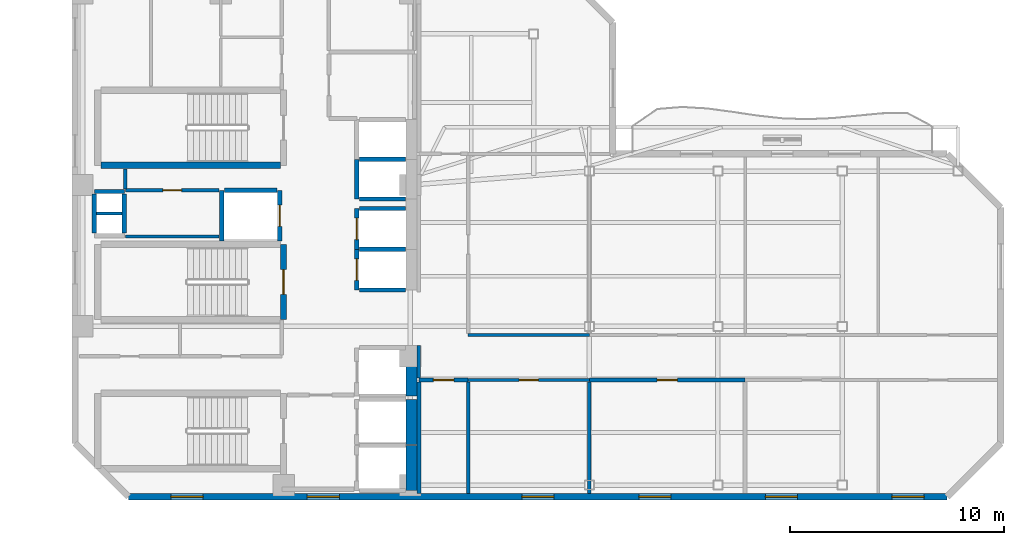
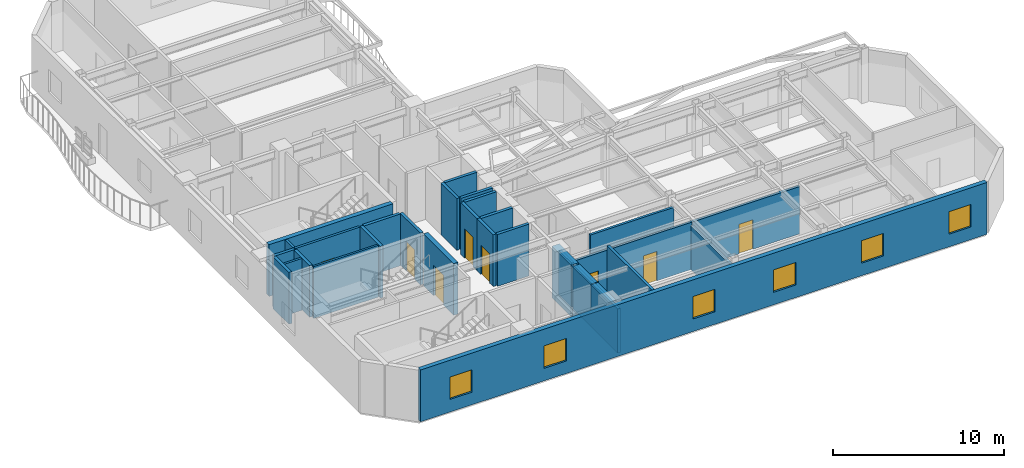
# One storey, part 3 of 9: 32 walls, 8 doors, 6 windows, 14 openings.
"""IFC4 building model written with IfcOpenShell, lengths in metres."""

from ifc_helpers import new_model, si_unit, direction, frame, frame_2d, origin, place, context, subcontext, project, spatial, rectangle, extrude, material, layer, layer_set, type_object, element, fill, save


model = new_model("IFC4")

# Units and contexts
model_context = context("Model", 3, precision=1e-05, world=origin(), true_north=direction((0.0, 1.0)))
body_context = subcontext(model_context, "Body", "Model", "MODEL_VIEW")
ifc_project = project(units=[si_unit("LENGTHUNIT", "METRE"), si_unit("AREAUNIT", "SQUARE_METRE"), si_unit("VOLUMEUNIT", "CUBIC_METRE"), si_unit("PLANEANGLEUNIT", "RADIAN"), si_unit("MASSUNIT", "GRAM", prefix="KILO")], contexts=[model_context])

# Site, building, storey
site_placement = place(None, origin())
site = spatial("IfcSite", under=ifc_project, at=site_placement, CompositionType="ELEMENT")
building_placement = place(site_placement, origin())
building = spatial("IfcBuilding", under=site, at=building_placement, Name="Mawjaban Terraces University", CompositionType="ELEMENT")
storey_placement = place(building_placement, frame((0.0, 0.0, 203.10009765625)))
storey = spatial("IfcBuildingStorey", under=building, at=storey_placement, Name="L49", CompositionType="ELEMENT", Elevation=203.10009765625)

# Wall, opening, door
ifc_material_1 = material(Name="Acoustic masonry blockwork", Category="masonry")
ifc_layer_1 = layer(ifc_material_1, 0.179931640625)
ifc_layer_set_1 = layer_set([ifc_layer_1], Name="Acoustic masonry blockwork")
wall_type_1 = type_object("IfcWallType", Name="AcousticStudioWall_180", PredefinedType="PARTITIONING", material=ifc_layer_set_1)
wall_1_placement = place(storey_placement, frame((38.050048828125, 5.449951171875, 0.0), z_axis=(0.0, 0.0, 1.0), x_axis=(1.0, 0.0, 0.0)))
wall_1 = element("IfcWall", 1, at=wall_1_placement, inside=storey, type_object=wall_type_1, Name="L49 South Spine Spur Link Partition 18", PredefinedType="PARTITIONING", context=body_context, shape_type="SweptSolid", body=[
    extrude(rectangle(XDim=2.300048828125, YDim=0.179931640625, at=frame_2d((1.14990234375, 0.0))), origin(), (0.0, 0.0, 1.0), 3.371826171875),
])
opening_1_placement = place(wall_1_placement, frame((0.675048828125, 0.0, 0.0)))
opening_1 = element("IfcOpeningElement", 2, at=opening_1_placement, cuts=wall_1, Name="Opening ID-095", PredefinedType="OPENING", context=body_context, shape_type="SweptSolid", body=[
    extrude(rectangle(XDim=0.949951171875, YDim=2.10009765625, at=frame_2d((0.47509765625, 1.050048828125))), frame((0.0, 0.099853515625, 0.0), z_axis=(0.0, -1.0, 0.0), x_axis=(1.0, 0.0, 0.0)), (0.0, 0.0, 1.0), 0.199951171875),
])
ifc_material_2 = material(Name="Powder-coated steel frame and solid acoustic timber leaf", Category="steel")
door_type_1 = type_object("IfcDoorType", Name="StudioDoor_950x2100", OperationType="NOTDEFINED", PredefinedType="DOOR", material=ifc_material_2)
door_1_placement = place(opening_1_placement, origin())
door_1 = element("IfcDoor", 3, at=door_1_placement, inside=storey, type_object=door_type_1, Name="L49 Media Workshop 1 Door", OperationType="SINGLE_SWING_LEFT", OverallHeight=2.10009765625, OverallWidth=0.949951171875, PredefinedType="DOOR", context=body_context, shape_type="SweptSolid", body=[
    extrude(rectangle(XDim=0.949951171875, YDim=2.10009765625, at=frame_2d((0.47509765625, 1.050048828125))), frame((0.0, 0.02490234375, 0.0), z_axis=(0.0, -1.0, 0.0), x_axis=(1.0, 0.0, 0.0)), (0.0, 0.0, 1.0), 0.050048828125),
])
fill(opening_1, door_1)

wall_2_placement = place(storey_placement, frame((46.0, 5.449951171875, 0.0), z_axis=(0.0, 0.0, 1.0), x_axis=(1.0, 0.0, 0.0)))
wall_2 = element("IfcWall", 4, at=wall_2_placement, inside=storey, type_object=wall_type_1, Name="L49 South Shifted Academic Corridor Partition 21", PredefinedType="PARTITIONING", context=body_context, shape_type="SweptSolid", body=[
    extrude(rectangle(XDim=7.27001953125, YDim=0.179931640625, at=frame_2d((3.635009765625, 0.0))), origin(), (0.0, 0.0, 1.0), 3.371826171875),
])
opening_2_placement = place(wall_2_placement, frame((3.159912109375, 0.0, 0.0)))
opening_2 = element("IfcOpeningElement", 5, at=opening_2_placement, cuts=wall_2, Name="Opening ID-095", PredefinedType="OPENING", context=body_context, shape_type="SweptSolid", body=[
    extrude(rectangle(XDim=0.949951171875, YDim=2.10009765625, at=frame_2d((0.47509765625, 1.050048828125))), frame((0.0, 0.099853515625, 0.0), z_axis=(0.0, -1.0, 0.0), x_axis=(1.0, 0.0, 0.0)), (0.0, 0.0, 1.0), 0.199951171875),
])
door_2_placement = place(opening_2_placement, origin())
door_2 = element("IfcDoor", 6, at=door_2_placement, inside=storey, type_object=door_type_1, Name="L49 Media Workshop 4 Door", OperationType="SINGLE_SWING_RIGHT", OverallHeight=2.10009765625, OverallWidth=0.949951171875, PredefinedType="DOOR", context=body_context, shape_type="SweptSolid", body=[
    extrude(rectangle(XDim=0.949951171875, YDim=2.10009765625, at=frame_2d((0.47509765625, 1.050048828125))), frame((0.0, 0.02490234375, 0.0), z_axis=(0.0, -1.0, 0.0), x_axis=(1.0, 0.0, 0.0)), (0.0, 0.0, 1.0), 0.050048828125),
])
fill(opening_2, door_2)

# Walls
wall_3_placement = place(storey_placement, frame((38.050048828125, 5.364990234375, 0.0), z_axis=(0.0, 0.0, 1.0), x_axis=(0.0, -1.0, 0.0)))
element("IfcWall", 7, at=wall_3_placement, inside=storey, type_object=wall_type_1, Name="L49 Media Workshop 1 Partition 46", PredefinedType="PARTITIONING", context=body_context, shape_type="SweptSolid", body=[
    extrude(rectangle(XDim=5.219970703125, YDim=0.179931640625, at=frame_2d((2.60986328125, 0.0))), origin(), (0.0, 0.0, 1.0), 3.14599609375),
])
wall_4_placement = place(storey_placement, frame((40.35009765625, 0.14501953125, 0.0), z_axis=(0.0, 0.0, 1.0), x_axis=(0.0, 1.0, 0.0)))
element("IfcWall", 8, at=wall_4_placement, inside=storey, type_object=wall_type_1, Name="L49 Media Workshop 1 Partition 50", PredefinedType="PARTITIONING", context=body_context, shape_type="SweptSolid", body=[
    extrude(rectangle(XDim=5.219970703125, YDim=0.179931640625, at=frame_2d((2.60986328125, 0.0))), origin(), (0.0, 0.0, 1.0), 3.68994140625),
])
wall_5_placement = place(storey_placement, frame((46.0, 0.14501953125, 0.0), z_axis=(0.0, 0.0, 1.0), x_axis=(0.0, 1.0, 0.0)))
element("IfcWall", 9, at=wall_5_placement, inside=storey, type_object=wall_type_1, Name="L49 Quiet Reading Room 2 Partition 52", PredefinedType="PARTITIONING", context=body_context, shape_type="SweptSolid", body=[
    extrude(rectangle(XDim=5.219970703125, YDim=0.179931640625, at=frame_2d((2.60986328125, 0.0))), origin(), (0.0, 0.0, 1.0), 3.14599609375),
])
ifc_material_3 = material(Name="Concrete C60/75", Category="concrete")
ifc_layer_2 = layer(ifc_material_3, 0.5)
ifc_layer_set_2 = layer_set([ifc_layer_2], Name="Concrete C60/75")
wall_type_2 = type_object("IfcWallType", Name="CoreShearWall_500", PredefinedType="SHEAR", material=ifc_layer_set_2)
wall_6_placement = place(storey_placement, frame((37.699951171875, 0.300048828125, 0.0), z_axis=(0.0, 0.0, 1.0), x_axis=(0.0, 1.0, 0.0)))
element("IfcWall", 10, at=wall_6_placement, inside=storey, type_object=wall_type_2, Name="L49 Lift FL-1 Hoistway Wall East", PredefinedType="SHEAR", context=body_context, shape_type="SweptSolid", body=[
    extrude(rectangle(XDim=2.099853515625, YDim=0.5, at=frame_2d((1.0498046875, 0.0))), origin(), (0.0, 0.0, 1.0), 3.68994140625),
])
wall_7_placement = place(storey_placement, frame((37.699951171875, 2.449951171875, 0.0), z_axis=(0.0, 0.0, 1.0), x_axis=(0.0, 1.0, 0.0)))
element("IfcWall", 11, at=wall_7_placement, inside=storey, type_object=wall_type_2, Name="L49 Lift FL-2 Hoistway Wall East", PredefinedType="SHEAR", context=body_context, shape_type="SweptSolid", body=[
    extrude(rectangle(XDim=2.10009765625, YDim=0.5, at=frame_2d((1.050048828125, 0.0))), origin(), (0.0, 0.0, 1.0), 3.68994140625),
])
wall_8_placement = place(storey_placement, frame((37.699951171875, 4.699951171875, 0.0), z_axis=(0.0, 0.0, 1.0), x_axis=(0.0, 1.0, 0.0)))
element("IfcWall", 12, at=wall_8_placement, inside=storey, type_object=wall_type_2, Name="L49 Lift SL-1 Hoistway Wall East", PredefinedType="SHEAR", context=body_context, shape_type="SweptSolid", body=[
    extrude(rectangle(XDim=2.25, YDim=0.5, at=frame_2d((1.125, 0.0))), origin(), (0.0, 0.0, 1.0), 3.68994140625),
])

# Wall, opening, door
ifc_material_4 = material(Name="Fire-rated gypsum board on steel stud", Category="steel")
ifc_layer_3 = layer(ifc_material_4, 0.159912109375)
ifc_layer_set_3 = layer_set([ifc_layer_3], Name="Fire-rated gypsum board on steel stud")
wall_type_3 = type_object("IfcWallType", Name="CorridorPartition_160", PredefinedType="PARTITIONING", material=ifc_layer_set_3)
wall_9_placement = place(storey_placement, frame((24.35009765625, 14.300048828125, 0.0), z_axis=(0.0, 0.0, 1.0), x_axis=(1.0, 0.0, 0.0)))
wall_9 = element("IfcWall", 13, at=wall_9_placement, inside=storey, type_object=wall_type_3, Name="L49 Core Riser Access Passage Partition 2", PredefinedType="PARTITIONING", context=body_context, shape_type="SweptSolid", body=[
    extrude(rectangle(XDim=4.369873046875, YDim=0.159912109375, at=frame_2d((2.18505859375, 0.0))), origin(), (0.0, 0.0, 1.0), 3.68994140625),
])
opening_3_placement = place(wall_9_placement, frame((1.7451171875, 0.0, 0.0)))
opening_3 = element("IfcOpeningElement", 14, at=opening_3_placement, cuts=wall_9, Name="Opening ID-088", PredefinedType="OPENING", context=body_context, shape_type="SweptSolid", body=[
    extrude(rectangle(XDim=0.8798828125, YDim=2.10009765625, at=frame_2d((0.43994140625, 1.050048828125))), frame((0.0, 0.08984375, 0.0), z_axis=(0.0, -1.0, 0.0), x_axis=(1.0, 0.0, 0.0)), (0.0, 0.0, 1.0), 0.179931640625),
])
door_type_2 = type_object("IfcDoorType", Name="ToiletDoor_880x2100", OperationType="NOTDEFINED", PredefinedType="DOOR", material=ifc_material_2)
door_3_placement = place(opening_3_placement, origin())
door_3 = element("IfcDoor", 15, at=door_3_placement, inside=storey, type_object=door_type_2, Name="L49 Ablution Room Door", OperationType="SINGLE_SWING_RIGHT", OverallHeight=2.10009765625, OverallWidth=0.8798828125, PredefinedType="DOOR", context=body_context, shape_type="SweptSolid", body=[
    extrude(rectangle(XDim=0.8798828125, YDim=2.10009765625, at=frame_2d((0.43994140625, 1.050048828125))), frame((0.0, 0.02490234375, 0.0), z_axis=(0.0, -1.0, 0.0), x_axis=(1.0, 0.0, 0.0)), (0.0, 0.0, 1.0), 0.050048828125),
])
fill(opening_3, door_3)

wall_10_placement = place(storey_placement, frame((40.35009765625, 5.449951171875, 0.0), z_axis=(0.0, 0.0, 1.0), x_axis=(1.0, 0.0, 0.0)))
wall_10 = element("IfcWall", 16, at=wall_10_placement, inside=storey, type_object=wall_type_3, Name="L49 South Shifted Academic Corridor Partition 19", PredefinedType="PARTITIONING", context=body_context, shape_type="SweptSolid", body=[
    extrude(rectangle(XDim=5.64990234375, YDim=0.159912109375, at=frame_2d((2.824951171875, 0.0))), origin(), (0.0, 0.0, 1.0), 3.371826171875),
])
opening_4_placement = place(wall_10_placement, frame((2.375, 0.0, 0.0)))
opening_4 = element("IfcOpeningElement", 17, at=opening_4_placement, cuts=wall_10, Name="Opening ID-090", PredefinedType="OPENING", context=body_context, shape_type="SweptSolid", body=[
    extrude(rectangle(XDim=0.89990234375, YDim=2.10009765625, at=frame_2d((0.449951171875, 1.050048828125))), frame((0.0, 0.08984375, 0.0), z_axis=(0.0, -1.0, 0.0), x_axis=(1.0, 0.0, 0.0)), (0.0, 0.0, 1.0), 0.179931640625),
])
door_type_3 = type_object("IfcDoorType", Name="OfficeDoor_900x2100", OperationType="NOTDEFINED", PredefinedType="DOOR", material=ifc_material_2)
door_4_placement = place(opening_4_placement, origin())
door_4 = element("IfcDoor", 18, at=door_4_placement, inside=storey, type_object=door_type_3, Name="L49 Quiet Reading Room 2 Door", OperationType="SINGLE_SWING_RIGHT", OverallHeight=2.10009765625, OverallWidth=0.89990234375, PredefinedType="DOOR", context=body_context, shape_type="SweptSolid", body=[
    extrude(rectangle(XDim=0.89990234375, YDim=2.10009765625, at=frame_2d((0.449951171875, 1.050048828125))), frame((0.0, 0.02490234375, 0.0), z_axis=(0.0, -1.0, 0.0), x_axis=(1.0, 0.0, 0.0)), (0.0, 0.0, 1.0), 0.050048828125),
])
fill(opening_4, door_4)

# Walls
wall_11_placement = place(storey_placement, frame((46.0, 7.550048828125, 0.0), z_axis=(0.0, 0.0, 1.0), x_axis=(-1.0, 0.0, 0.0)))
element("IfcWall", 19, at=wall_11_placement, inside=storey, type_object=wall_type_3, Name="L49 South Shifted Academic Corridor Partition 22", PredefinedType="PARTITIONING", context=body_context, shape_type="SweptSolid", body=[
    extrude(rectangle(XDim=5.64990234375, YDim=0.159912109375, at=frame_2d((2.824951171875, 0.0))), origin(), (0.0, 0.0, 1.0), 3.14599609375),
])
wall_12_placement = place(storey_placement, frame((24.35009765625, 15.2900390625, 0.0), z_axis=(0.0, 0.0, 1.0), x_axis=(0.0, -1.0, 0.0)))
element("IfcWall", 20, at=wall_12_placement, inside=storey, type_object=wall_type_3, Name="L49 Core Riser Access Passage Partition 30", PredefinedType="PARTITIONING", context=body_context, shape_type="SweptSolid", body=[
    extrude(rectangle(XDim=0.9150390625, YDim=0.159912109375, at=frame_2d((0.45751953125, 0.0))), origin(), (0.0, 0.0, 1.0), 3.68994140625),
])
wall_13_placement = place(storey_placement, frame((38.050048828125, 7.050048828125, 0.0), z_axis=(0.0, 0.0, 1.0), x_axis=(0.0, -1.0, 0.0)))
element("IfcWall", 21, at=wall_13_placement, inside=storey, type_object=wall_type_3, Name="L49 South Spine Spur Link Partition 47", PredefinedType="PARTITIONING", context=body_context, shape_type="SweptSolid", body=[
    extrude(rectangle(XDim=1.51513671875, YDim=0.159912109375, at=frame_2d((0.757568359375, 0.0))), origin(), (0.0, 0.0, 1.0), 3.14599609375),
])

# Wall, openings, windows
ifc_material_5 = material(Name="Insulated terracotta rainscreen on concrete backup C40/50", Category="masonry")
ifc_layer_4 = layer(ifc_material_5, 0.300048828125)
ifc_layer_set_4 = layer_set([ifc_layer_4], Name="Insulated terracotta rainscreen on concrete backup C40/50")
wall_type_4 = type_object("IfcWallType", Name="ExtTerracottaWall_300", PredefinedType="SOLIDWALL", material=ifc_layer_set_4)
wall_14_placement = place(storey_placement, frame((24.5, 0.0, 0.0), z_axis=(0.0, 0.0, 1.0), x_axis=(1.0, 0.0, 0.0)))
wall_14 = element("IfcWall", 22, at=wall_14_placement, inside=storey, type_object=wall_type_4, Name="L49 Exterior Terracotta Wall 1", PredefinedType="SOLIDWALL", context=body_context, shape_type="SweptSolid", body=[
    extrude(rectangle(XDim=38.199951171875, YDim=0.300048828125, at=frame_2d((19.10009765625, 0.0))), origin(), (0.0, 0.0, 1.0), 3.68994140625),
])
opening_5_placement = place(wall_14_placement, frame((1.97900390625, 0.0, 0.89990234375)))
opening_5 = element("IfcOpeningElement", 23, at=opening_5_placement, cuts=wall_14, Name="Opening W-02", PredefinedType="OPENING", context=body_context, shape_type="SweptSolid", body=[
    extrude(rectangle(XDim=1.5, YDim=1.60009765625, at=frame_2d((0.75, 0.800048828125))), frame((0.0, 0.159912109375, 0.0), z_axis=(0.0, -1.0, 0.0), x_axis=(1.0, 0.0, 0.0)), (0.0, 0.0, 1.0), 0.320068359375),
])
opening_6_placement = place(wall_14_placement, frame((8.3359375, 0.0, 0.89990234375)))
opening_6 = element("IfcOpeningElement", 24, at=opening_6_placement, cuts=wall_14, Name="Opening W-02", PredefinedType="OPENING", context=body_context, shape_type="SweptSolid", body=[
    extrude(rectangle(XDim=1.5, YDim=1.60009765625, at=frame_2d((0.75, 0.800048828125))), frame((0.0, 0.159912109375, 0.0), z_axis=(0.0, -1.0, 0.0), x_axis=(1.0, 0.0, 0.0)), (0.0, 0.0, 1.0), 0.320068359375),
])
opening_7_placement = place(wall_14_placement, frame((18.35009765625, 0.0, 0.89990234375)))
opening_7 = element("IfcOpeningElement", 25, at=opening_7_placement, cuts=wall_14, Name="Opening W-02", PredefinedType="OPENING", context=body_context, shape_type="SweptSolid", body=[
    extrude(rectangle(XDim=1.5, YDim=1.60009765625, at=frame_2d((0.75, 0.800048828125))), frame((0.0, 0.159912109375, 0.0), z_axis=(0.0, -1.0, 0.0), x_axis=(1.0, 0.0, 0.0)), (0.0, 0.0, 1.0), 0.320068359375),
])
opening_8_placement = place(wall_14_placement, frame((23.806884765625, 0.0, 0.89990234375)))
opening_8 = element("IfcOpeningElement", 26, at=opening_8_placement, cuts=wall_14, Name="Opening W-02", PredefinedType="OPENING", context=body_context, shape_type="SweptSolid", body=[
    extrude(rectangle(XDim=1.5, YDim=1.60009765625, at=frame_2d((0.75, 0.800048828125))), frame((0.0, 0.159912109375, 0.0), z_axis=(0.0, -1.0, 0.0), x_axis=(1.0, 0.0, 0.0)), (0.0, 0.0, 1.0), 0.320068359375),
])
opening_9_placement = place(wall_14_placement, frame((29.714111328125, 0.0, 0.89990234375)))
opening_9 = element("IfcOpeningElement", 27, at=opening_9_placement, cuts=wall_14, Name="Opening W-02", PredefinedType="OPENING", context=body_context, shape_type="SweptSolid", body=[
    extrude(rectangle(XDim=1.5, YDim=1.60009765625, at=frame_2d((0.75, 0.800048828125))), frame((0.0, 0.159912109375, 0.0), z_axis=(0.0, -1.0, 0.0), x_axis=(1.0, 0.0, 0.0)), (0.0, 0.0, 1.0), 0.320068359375),
])
opening_10_placement = place(wall_14_placement, frame((35.62109375, 0.0, 0.89990234375)))
opening_10 = element("IfcOpeningElement", 28, at=opening_10_placement, cuts=wall_14, Name="Opening W-02", PredefinedType="OPENING", context=body_context, shape_type="SweptSolid", body=[
    extrude(rectangle(XDim=1.5, YDim=1.60009765625, at=frame_2d((0.75, 0.800048828125))), frame((0.0, 0.159912109375, 0.0), z_axis=(0.0, -1.0, 0.0), x_axis=(1.0, 0.0, 0.0)), (0.0, 0.0, 1.0), 0.320068359375),
])
ifc_material_6 = material(Name="Low-E solar-control double glazing in thermally broken aluminium frame", Category="aluminium")
window_type = type_object("IfcWindowType", Name="Win_1500x1600", PartitioningType="SINGLE_PANEL", PredefinedType="WINDOW", material=ifc_material_6)
window_1_placement = place(opening_5_placement, origin())
window_1 = element("IfcWindow", 29, at=window_1_placement, inside=storey, type_object=window_type, Name="L49 Facade Window 1.1", OverallHeight=1.60009765625, OverallWidth=1.5, PartitioningType="SINGLE_PANEL", PredefinedType="WINDOW", context=body_context, shape_type="SweptSolid", body=[
    extrude(rectangle(XDim=1.5, YDim=1.60009765625, at=frame_2d((0.75, 0.800048828125))), frame((0.0, 0.030029296875, 0.0), z_axis=(0.0, -1.0, 0.0), x_axis=(1.0, 0.0, 0.0)), (0.0, 0.0, 1.0), 0.06005859375),
])
fill(opening_5, window_1)
window_2_placement = place(opening_6_placement, origin())
window_2 = element("IfcWindow", 30, at=window_2_placement, inside=storey, type_object=window_type, Name="L49 Facade Window 1.2", OverallHeight=1.60009765625, OverallWidth=1.5, PartitioningType="SINGLE_PANEL", PredefinedType="WINDOW", context=body_context, shape_type="SweptSolid", body=[
    extrude(rectangle(XDim=1.5, YDim=1.60009765625, at=frame_2d((0.75, 0.800048828125))), frame((0.0, 0.030029296875, 0.0), z_axis=(0.0, -1.0, 0.0), x_axis=(1.0, 0.0, 0.0)), (0.0, 0.0, 1.0), 0.06005859375),
])
fill(opening_6, window_2)
window_3_placement = place(opening_7_placement, origin())
window_3 = element("IfcWindow", 31, at=window_3_placement, inside=storey, type_object=window_type, Name="L49 Facade Window 1.4", OverallHeight=1.60009765625, OverallWidth=1.5, PartitioningType="SINGLE_PANEL", PredefinedType="WINDOW", context=body_context, shape_type="SweptSolid", body=[
    extrude(rectangle(XDim=1.5, YDim=1.60009765625, at=frame_2d((0.75, 0.800048828125))), frame((0.0, 0.030029296875, 0.0), z_axis=(0.0, -1.0, 0.0), x_axis=(1.0, 0.0, 0.0)), (0.0, 0.0, 1.0), 0.06005859375),
])
fill(opening_7, window_3)
window_4_placement = place(opening_8_placement, origin())
window_4 = element("IfcWindow", 32, at=window_4_placement, inside=storey, type_object=window_type, Name="L49 Facade Window 1.5", OverallHeight=1.60009765625, OverallWidth=1.5, PartitioningType="SINGLE_PANEL", PredefinedType="WINDOW", context=body_context, shape_type="SweptSolid", body=[
    extrude(rectangle(XDim=1.5, YDim=1.60009765625, at=frame_2d((0.75, 0.800048828125))), frame((0.0, 0.030029296875, 0.0), z_axis=(0.0, -1.0, 0.0), x_axis=(1.0, 0.0, 0.0)), (0.0, 0.0, 1.0), 0.06005859375),
])
fill(opening_8, window_4)
window_5_placement = place(opening_9_placement, origin())
window_5 = element("IfcWindow", 33, at=window_5_placement, inside=storey, type_object=window_type, Name="L49 Facade Window 1.6", OverallHeight=1.60009765625, OverallWidth=1.5, PartitioningType="SINGLE_PANEL", PredefinedType="WINDOW", context=body_context, shape_type="SweptSolid", body=[
    extrude(rectangle(XDim=1.5, YDim=1.60009765625, at=frame_2d((0.75, 0.800048828125))), frame((0.0, 0.030029296875, 0.0), z_axis=(0.0, -1.0, 0.0), x_axis=(1.0, 0.0, 0.0)), (0.0, 0.0, 1.0), 0.06005859375),
])
fill(opening_9, window_5)
window_6_placement = place(opening_10_placement, origin())
window_6 = element("IfcWindow", 34, at=window_6_placement, inside=storey, type_object=window_type, Name="L49 Facade Window 1.7", OverallHeight=1.60009765625, OverallWidth=1.5, PartitioningType="SINGLE_PANEL", PredefinedType="WINDOW", context=body_context, shape_type="SweptSolid", body=[
    extrude(rectangle(XDim=1.5, YDim=1.60009765625, at=frame_2d((0.75, 0.800048828125))), frame((0.0, 0.030029296875, 0.0), z_axis=(0.0, -1.0, 0.0), x_axis=(1.0, 0.0, 0.0)), (0.0, 0.0, 1.0), 0.06005859375),
])
fill(opening_10, window_6)

# Wall, opening, door
ifc_material_7 = material(Name="Concrete C40/50", Category="concrete")
ifc_layer_5 = layer(ifc_material_7, 0.199951171875)
ifc_layer_set_5 = layer_set([ifc_layer_5], Name="Concrete C40/50")
wall_type_5 = type_object("IfcWallType", Name="FireLobbyWall_200", PredefinedType="SOLIDWALL", material=ifc_layer_set_5)
wall_15_placement = place(storey_placement, frame((35.14990234375, 11.550048828125, 0.0), z_axis=(0.0, 0.0, 1.0), x_axis=(0.0, -1.0, 0.0)))
wall_15 = element("IfcWall", 35, at=wall_15_placement, inside=storey, type_object=wall_type_5, Name="L49 Lift PL-H1 Hoistway Wall West", PredefinedType="SOLIDWALL", context=body_context, shape_type="SweptSolid", body=[
    extrude(rectangle(XDim=1.900146484375, YDim=0.199951171875, at=frame_2d((0.9501953125, 0.0))), origin(), (0.0, 0.0, 1.0), 3.68994140625),
])
opening_11_placement = place(wall_15_placement, frame((0.449951171875, 0.0, 0.0)))
opening_11 = element("IfcOpeningElement", 36, at=opening_11_placement, cuts=wall_15, Name="Opening LD-PL-H1", PredefinedType="OPENING", context=body_context, shape_type="SweptSolid", body=[
    extrude(rectangle(XDim=1.0, YDim=2.10009765625, at=frame_2d((0.5, 1.050048828125))), frame((0.0, 0.10986328125, 0.0), z_axis=(0.0, -1.0, 0.0), x_axis=(1.0, 0.0, 0.0)), (0.0, 0.0, 1.0), 0.219970703125),
])
ifc_material_8 = material(Name="Powder-coated steel frame and fire-rated steel-faced leaf", Category="steel")
door_type_4 = type_object("IfcDoorType", Name="LiftLandingSliding_1000x2100", OperationType="NOTDEFINED", PredefinedType="DOOR", material=ifc_material_8)
door_5_placement = place(opening_11_placement, origin())
door_5 = element("IfcDoor", 37, at=door_5_placement, inside=storey, type_object=door_type_4, Name="L49 Lift PL-H1 Sliding Landing Door", OperationType="DOUBLE_DOOR_SLIDING", OverallHeight=2.10009765625, OverallWidth=1.0, PredefinedType="DOOR", context=body_context, shape_type="SweptSolid", body=[
    extrude(rectangle(XDim=1.0, YDim=2.10009765625, at=frame_2d((0.5, 1.050048828125))), frame((0.0, 0.02490234375, 0.0), z_axis=(0.0, -1.0, 0.0), x_axis=(1.0, 0.0, 0.0)), (0.0, 0.0, 1.0), 0.050048828125),
])
fill(opening_11, door_5)

# Walls
for number, where, z_axis, x_axis, name in (
    (38, (35.280029296875, 9.64990234375, 0.0), (0.0, 0.0, 1.0), (1.0, 0.0, 0.0), "L49 Lift PL-H1 Hoistway Wall South"),
    (39, (37.419921875, 11.550048828125, 0.0), (0.0, 0.0, 1.0), (-1.0, 0.0, 0.0), "L49 Lift PL-H1 Hoistway Wall North"),
):
    element("IfcWall", number, at=place(storey_placement, frame(where, z_axis=z_axis, x_axis=x_axis)), inside=storey, type_object=wall_type_5, Name=name, PredefinedType="SOLIDWALL", context=body_context, shape_type="SweptSolid", body=[
        extrude(rectangle(XDim=2.139892578125, YDim=0.199951171875, at=frame_2d((1.06982421875, 0.0))), origin(), (0.0, 0.0, 1.0), 3.68994140625),
    ])

# Wall, opening, door
wall_16_placement = place(storey_placement, frame((35.14990234375, 13.449951171875, 0.0), z_axis=(0.0, 0.0, 1.0), x_axis=(0.0, -1.0, 0.0)))
wall_16 = element("IfcWall", 40, at=wall_16_placement, inside=storey, type_object=wall_type_5, Name="L49 Lift PL-H2 Hoistway Wall West", PredefinedType="SOLIDWALL", context=body_context, shape_type="SweptSolid", body=[
    extrude(rectangle(XDim=1.89990234375, YDim=0.199951171875, at=frame_2d((0.949951171875, 0.0))), origin(), (0.0, 0.0, 1.0), 3.68994140625),
])
opening_12_placement = place(wall_16_placement, frame((0.449951171875, 0.0, 0.0)))
opening_12 = element("IfcOpeningElement", 41, at=opening_12_placement, cuts=wall_16, Name="Opening LD-PL-H2", PredefinedType="OPENING", context=body_context, shape_type="SweptSolid", body=[
    extrude(rectangle(XDim=1.0, YDim=2.10009765625, at=frame_2d((0.5, 1.050048828125))), frame((0.0, 0.10986328125, 0.0), z_axis=(0.0, -1.0, 0.0), x_axis=(1.0, 0.0, 0.0)), (0.0, 0.0, 1.0), 0.219970703125),
])
door_6_placement = place(opening_12_placement, origin())
door_6 = element("IfcDoor", 42, at=door_6_placement, inside=storey, type_object=door_type_4, Name="L49 Lift PL-H2 Sliding Landing Door", OperationType="DOUBLE_DOOR_SLIDING", OverallHeight=2.10009765625, OverallWidth=1.0, PredefinedType="DOOR", context=body_context, shape_type="SweptSolid", body=[
    extrude(rectangle(XDim=1.0, YDim=2.10009765625, at=frame_2d((0.5, 1.050048828125))), frame((0.0, 0.02490234375, 0.0), z_axis=(0.0, -1.0, 0.0), x_axis=(1.0, 0.0, 0.0)), (0.0, 0.0, 1.0), 0.050048828125),
])
fill(opening_12, door_6)

# Walls
wall_17_placement = place(storey_placement, frame((37.419921875, 13.449951171875, 0.0), z_axis=(0.0, 0.0, 1.0), x_axis=(-1.0, 0.0, 0.0)))
element("IfcWall", 43, at=wall_17_placement, inside=storey, type_object=wall_type_5, Name="L49 Lift PL-H2 Hoistway Wall North", PredefinedType="SOLIDWALL", context=body_context, shape_type="SweptSolid", body=[
    extrude(rectangle(XDim=2.139892578125, YDim=0.199951171875, at=frame_2d((1.06982421875, 0.0))), origin(), (0.0, 0.0, 1.0), 3.68994140625),
])
wall_18_placement = place(storey_placement, frame((28.85009765625, 14.300048828125, 0.0), z_axis=(0.0, 0.0, 1.0), x_axis=(0.0, -1.0, 0.0)))
element("IfcWall", 44, at=wall_18_placement, inside=storey, type_object=wall_type_5, Name="L49 Lift PL-H3 Hoistway Wall West", PredefinedType="SOLIDWALL", context=body_context, shape_type="SweptSolid", body=[
    extrude(rectangle(XDim=2.3701171875, YDim=0.199951171875, at=frame_2d((1.18505859375, 0.0))), origin(), (0.0, 0.0, 1.0), 3.68994140625),
])

# Wall, opening, door
wall_19_placement = place(storey_placement, frame((31.550048828125, 11.929931640625, 0.0), z_axis=(0.0, 0.0, 1.0), x_axis=(0.0, 1.0, 0.0)))
wall_19 = element("IfcWall", 45, at=wall_19_placement, inside=storey, type_object=wall_type_5, Name="L49 Lift PL-H3 Hoistway Wall East", PredefinedType="SOLIDWALL", context=body_context, shape_type="SweptSolid", body=[
    extrude(rectangle(XDim=2.3701171875, YDim=0.199951171875, at=frame_2d((1.18505859375, 0.0))), origin(), (0.0, 0.0, 1.0), 3.68994140625),
])
opening_13_placement = place(wall_19_placement, frame((0.68505859375, 0.0, 0.0)))
opening_13 = element("IfcOpeningElement", 46, at=opening_13_placement, cuts=wall_19, Name="Opening LD-PL-H3", PredefinedType="OPENING", context=body_context, shape_type="SweptSolid", body=[
    extrude(rectangle(XDim=1.0, YDim=2.10009765625, at=frame_2d((0.5, 1.050048828125))), frame((0.0, 0.10986328125, 0.0), z_axis=(0.0, -1.0, 0.0), x_axis=(1.0, 0.0, 0.0)), (0.0, 0.0, 1.0), 0.219970703125),
])
door_7_placement = place(opening_13_placement, origin())
door_7 = element("IfcDoor", 47, at=door_7_placement, inside=storey, type_object=door_type_4, Name="L49 Lift PL-H3 Sliding Landing Door", OperationType="DOUBLE_DOOR_SLIDING", OverallHeight=2.10009765625, OverallWidth=1.0, PredefinedType="DOOR", context=body_context, shape_type="SweptSolid", body=[
    extrude(rectangle(XDim=1.0, YDim=2.10009765625, at=frame_2d((0.5, 1.050048828125))), frame((0.0, 0.02490234375, 0.0), z_axis=(0.0, -1.0, 0.0), x_axis=(1.0, 0.0, 0.0)), (0.0, 0.0, 1.0), 0.050048828125),
])
fill(opening_13, door_7)

# Walls
wall_20_placement = place(storey_placement, frame((31.419921875, 14.300048828125, 0.0), z_axis=(0.0, 0.0, 1.0), x_axis=(-1.0, 0.0, 0.0)))
element("IfcWall", 48, at=wall_20_placement, inside=storey, type_object=wall_type_5, Name="L49 Lift PL-H3 Hoistway Wall North", PredefinedType="SOLIDWALL", context=body_context, shape_type="SweptSolid", body=[
    extrude(rectangle(XDim=2.43994140625, YDim=0.199951171875, at=frame_2d((1.219970703125, 0.0))), origin(), (0.0, 0.0, 1.0), 3.68994140625),
])
wall_21_placement = place(storey_placement, frame((35.14990234375, 15.75, 0.0), z_axis=(0.0, 0.0, 1.0), x_axis=(0.0, -1.0, 0.0)))
element("IfcWall", 49, at=wall_21_placement, inside=storey, type_object=wall_type_5, Name="L49 Lift OL-1 Hoistway Wall West", PredefinedType="SOLIDWALL", context=body_context, shape_type="SweptSolid", body=[
    extrude(rectangle(XDim=1.85009765625, YDim=0.199951171875, at=frame_2d((0.925048828125, 0.0))), origin(), (0.0, 0.0, 1.0), 3.68994140625),
])
for number, where, z_axis, x_axis, name in (
    (50, (35.280029296875, 13.89990234375, 0.0), (0.0, 0.0, 1.0), (1.0, 0.0, 0.0), "L49 Lift OL-1 Hoistway Wall South"),
    (51, (37.419921875, 15.75, 0.0), (0.0, 0.0, 1.0), (-1.0, 0.0, 0.0), "L49 Lift OL-1 Hoistway Wall North"),
):
    element("IfcWall", number, at=place(storey_placement, frame(where, z_axis=z_axis, x_axis=x_axis)), inside=storey, type_object=wall_type_5, Name=name, PredefinedType="SOLIDWALL", context=body_context, shape_type="SweptSolid", body=[
        extrude(rectangle(XDim=2.139892578125, YDim=0.199951171875, at=frame_2d((1.06982421875, 0.0))), origin(), (0.0, 0.0, 1.0), 3.68994140625),
    ])
wall_22_placement = place(storey_placement, frame((22.89990234375, 14.25, 0.0), z_axis=(0.0, 0.0, 1.0), x_axis=(1.0, 0.0, 0.0)))
element("IfcWall", 52, at=wall_22_placement, inside=storey, type_object=wall_type_5, Name="L49 MEP Riser Shaft Wall N", PredefinedType="SOLIDWALL", context=body_context, shape_type="SweptSolid", body=[
    extrude(rectangle(XDim=1.400146484375, YDim=0.199951171875, at=frame_2d((0.7001953125, 0.0))), origin(), (0.0, 0.0, 1.0), 3.68994140625),
])
for number, where, z_axis, x_axis, name in (
    (53, (24.300048828125, 12.300048828125, 0.0), (0.0, 0.0, 1.0), (0.0, 1.0, 0.0), "L49 MEP Riser Shaft Wall E"),
    (54, (22.89990234375, 12.300048828125, 0.0), (0.0, 0.0, 1.0), (0.0, 1.0, 0.0), "L49 MEP Riser Shaft Wall W"),
):
    element("IfcWall", number, at=place(storey_placement, frame(where, z_axis=z_axis, x_axis=x_axis)), inside=storey, type_object=wall_type_5, Name=name, PredefinedType="SOLIDWALL", context=body_context, shape_type="SweptSolid", body=[
        extrude(rectangle(XDim=1.829833984375, YDim=0.199951171875, at=frame_2d((0.9150390625, 0.0))), origin(), (0.0, 0.0, 1.0), 3.68994140625),
    ])
ifc_material_9 = material(Name="Moisture-resistant gypsum board on steel stud", Category="steel")
ifc_layer_6 = layer(ifc_material_9, 0.14501953125)
ifc_layer_set_6 = layer_set([ifc_layer_6], Name="Moisture-resistant gypsum board on steel stud")
wall_type_6 = type_object("IfcWallType", Name="LabPartition_145", PredefinedType="PARTITIONING", material=ifc_layer_set_6)
wall_23_placement = place(storey_placement, frame((23.010009765625, 13.22509765625, 0.0), z_axis=(0.0, 0.0, 1.0), x_axis=(1.0, 0.0, 0.0)))
element("IfcWall", 55, at=wall_23_placement, inside=storey, type_object=wall_type_6, Name="L49 MEP Riser Shaft Wall M", PredefinedType="PARTITIONING", context=body_context, shape_type="SweptSolid", body=[
    extrude(rectangle(XDim=1.179931640625, YDim=0.14501953125, at=frame_2d((0.58984375, 0.0))), origin(), (0.0, 0.0, 1.0), 3.68994140625),
])
ifc_layer_7 = layer(ifc_material_3, 0.300048828125)
ifc_layer_set_7 = layer_set([ifc_layer_7], Name="Concrete C60/75")
wall_type_7 = type_object("IfcWallType", Name="StairShaftWall_300", PredefinedType="SHEAR", material=ifc_layer_set_7)
wall_24_placement = place(storey_placement, frame((23.219970703125, 15.469970703125, 0.0), z_axis=(0.0, 0.0, 1.0), x_axis=(1.0, 0.0, 0.0)))
element("IfcWall", 56, at=wall_24_placement, inside=storey, type_object=wall_type_7, Name="L49 ST-2 Stair Shaft Wall 3", PredefinedType="SHEAR", context=body_context, shape_type="SweptSolid", body=[
    extrude(rectangle(XDim=8.360107421875, YDim=0.300048828125, at=frame_2d((4.18017578125, 0.0))), origin(), (0.0, 0.0, 1.0), 3.68994140625),
])

# Wall, opening, door
wall_25_placement = place(storey_placement, frame((31.72998046875, 8.27001953125, 0.0), z_axis=(0.0, 0.0, 1.0), x_axis=(0.0, 1.0, 0.0)))
wall_25 = element("IfcWall", 57, at=wall_25_placement, inside=storey, type_object=wall_type_7, Name="L49 ST-3 Stair Shaft Wall 4", PredefinedType="SHEAR", context=body_context, shape_type="SweptSolid", body=[
    extrude(rectangle(XDim=3.510009765625, YDim=0.300048828125, at=frame_2d((1.7548828125, 0.0))), origin(), (0.0, 0.0, 1.0), 3.68994140625),
])
opening_14_placement = place(wall_25_placement, frame((1.179931640625, 0.0, 0.0)))
opening_14 = element("IfcOpeningElement", 58, at=opening_14_placement, cuts=wall_25, Name="Opening FD-115", PredefinedType="OPENING", context=body_context, shape_type="SweptSolid", body=[
    extrude(rectangle(XDim=1.14990234375, YDim=2.14990234375, at=frame_2d((0.574951171875, 1.074951171875))), frame((0.0, 0.159912109375, 0.0), z_axis=(0.0, -1.0, 0.0), x_axis=(1.0, 0.0, 0.0)), (0.0, 0.0, 1.0), 0.320068359375),
])
door_type_5 = type_object("IfcDoorType", Name="FireStairDoor_1150x2150", OperationType="NOTDEFINED", PredefinedType="DOOR", material=ifc_material_8)
door_8_placement = place(opening_14_placement, origin())
door_8 = element("IfcDoor", 59, at=door_8_placement, inside=storey, type_object=door_type_5, Name="L49 ST-3 Pressurised Stair Fire Door", OperationType="SINGLE_SWING_RIGHT", OverallHeight=2.14990234375, OverallWidth=1.14990234375, PredefinedType="DOOR", context=body_context, shape_type="SweptSolid", body=[
    extrude(rectangle(XDim=1.14990234375, YDim=2.14990234375, at=frame_2d((0.574951171875, 1.074951171875))), frame((0.0, 0.02490234375, 0.0), z_axis=(0.0, -1.0, 0.0), x_axis=(1.0, 0.0, 0.0)), (0.0, 0.0, 1.0), 0.050048828125),
])
fill(opening_14, door_8)

# Wall
ifc_material_10 = material(Name="Cement-board wet-room partition", Category="masonry")
ifc_layer_8 = layer(ifc_material_10, 0.135009765625)
ifc_layer_set_8 = layer_set([ifc_layer_8], Name="Cement-board wet-room partition")
wall_type_8 = type_object("IfcWallType", Name="WetRoomPartition_135", PredefinedType="PARTITIONING", material=ifc_layer_set_8)
wall_26_placement = place(storey_placement, frame((24.35009765625, 12.14990234375, 0.0), z_axis=(0.0, 0.0, 1.0), x_axis=(1.0, 0.0, 0.0)))
element("IfcWall", 60, at=wall_26_placement, inside=storey, type_object=wall_type_8, Name="L49 Ablution Room Partition 1", PredefinedType="PARTITIONING", context=body_context, shape_type="SweptSolid", body=[
    extrude(rectangle(XDim=4.369873046875, YDim=0.135009765625, at=frame_2d((2.18505859375, 0.0))), origin(), (0.0, 0.0, 1.0), 3.68994140625),
])

save(model, "model.ifc")
